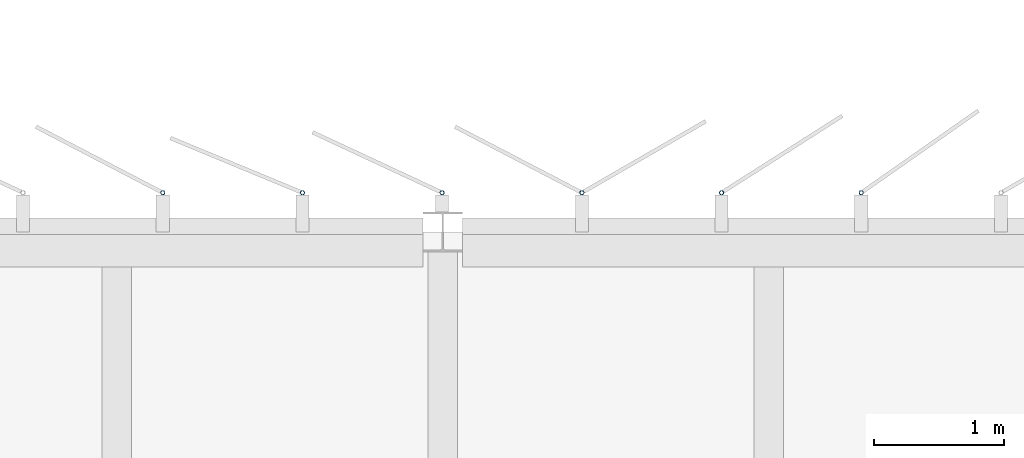
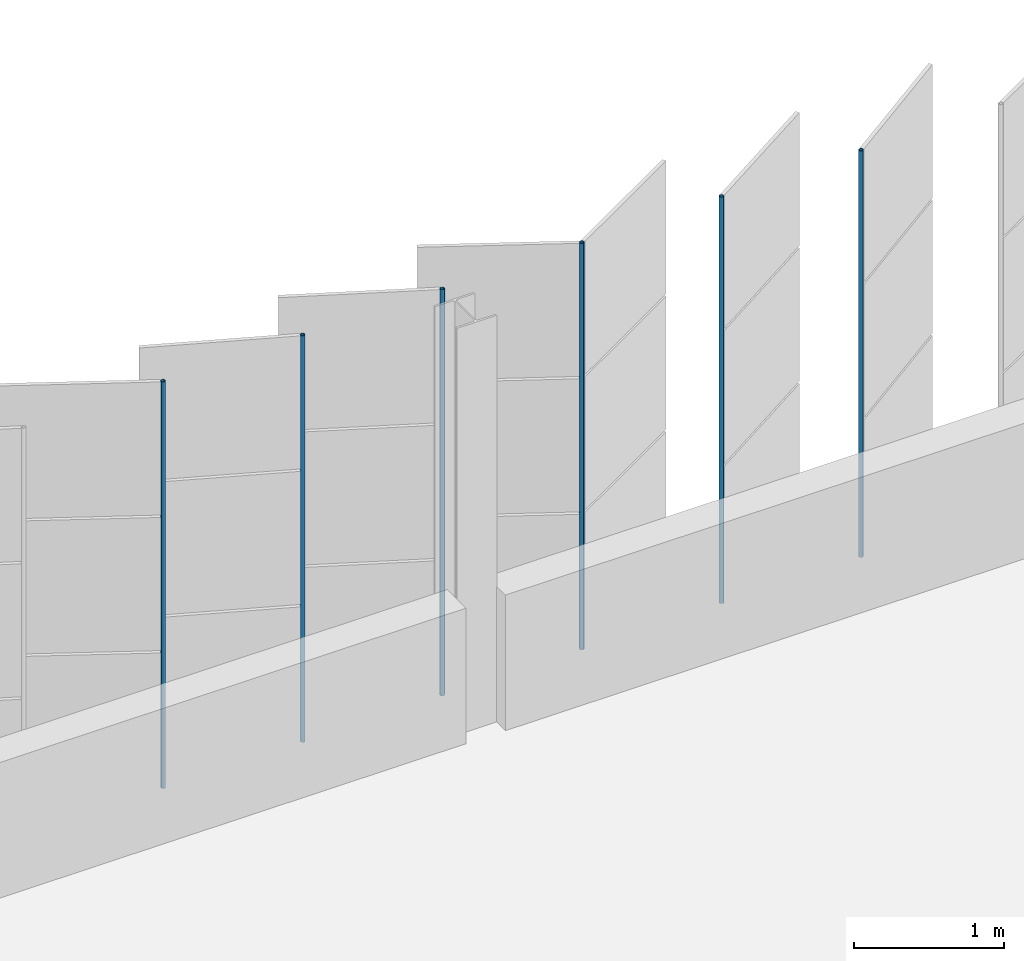
# One storey, part 148 of 199: 6 discrete accessories.
"""IFC4 building model written with IfcOpenShell, lengths in metres."""

from ifc_helpers import new_model, si_unit, direction, frame, origin, origin_2d, place, context, subcontext, project, spatial, hollow_circle, extrude, material, material_profile, profile_set, type_object, element, save


model = new_model("IFC4")

# Units and contexts
model_context = context("Model", 3, precision=1e-05, world=origin(), true_north=direction((0.0, 1.0)))
body_context = subcontext(model_context, "Body", "Model", "MODEL_VIEW")
ifc_project = project(units=[si_unit("LENGTHUNIT", "METRE"), si_unit("AREAUNIT", "SQUARE_METRE"), si_unit("VOLUMEUNIT", "CUBIC_METRE"), si_unit("PLANEANGLEUNIT", "RADIAN"), si_unit("MASSUNIT", "GRAM", prefix="KILO")], contexts=[model_context])

# Site, building, storey
site_placement = place(None, origin())
site = spatial("IfcSite", under=ifc_project, at=site_placement, CompositionType="ELEMENT")
building_placement = place(site_placement, origin())
building = spatial("IfcBuilding", under=site, at=building_placement, Name="Parallax Yard Mobility Hub", CompositionType="ELEMENT")
storey_placement = place(building_placement, frame((0.0, 0.0, 9.89990234375)))
storey = spatial("IfcBuildingStorey", under=building, at=storey_placement, Name="L03", CompositionType="ELEMENT", Elevation=9.89990234375)

# Discrete accessories
ifc_material = material(Name="Steel ASTM A500 Gr C, hot-dip galvanised", Category="steel")
ifc_material_profile = material_profile(ifc_material, hollow_circle(Radius=0.016845703125, WallThickness=0.003173828125, at=origin_2d()), Name="CHS 33.7x3.2")
ifc_profile_set = profile_set([ifc_material_profile], Name="Steel ASTM A500 Gr C, hot-dip galvanised")
discrete_accessory_type = type_object("IfcDiscreteAccessoryType", Name="Hinge post CHS 33.7x3.2", PredefinedType="BRACKET", material=ifc_profile_set)
for number, where, z_axis, x_axis, name in (
    (1, (123.210205078125, 142.800048828125, 0.0), (0.0, 0.0, 1.0), (1.0, 0.0, 0.0), "Hinge post bay 57.5 level L03"),
    (2, (122.138916015625, 142.800048828125, 0.0), (0.0, 0.0, 1.0), (1.0, 0.0, 0.0), "Hinge post bay 57.6 level L03"),
    (3, (121.067138671875, 142.800048828125, 0.0), (0.0, 0.0, 1.0), (1.0, 0.0, 0.0), "Hinge post bay 57.7 level L03"),
    (4, (119.99560546875, 142.800048828125, 0.0), (0.0, 0.0, 1.0), (1.0, 0.0, 0.0), "Hinge post bay 58.1 level L03"),
    (5, (118.924072265625, 142.800048828125, 0.0), (0.0, 0.0, 1.0), (1.0, 0.0, 0.0), "Hinge post bay 58.2 level L03"),
    (6, (117.8525390625, 142.800048828125, 0.0), (0.0, 0.0, 1.0), (1.0, 0.0, 0.0), "Hinge post bay 58.3 level L03"),
):
    element("IfcDiscreteAccessory", number, at=place(storey_placement, frame(where, z_axis=z_axis, x_axis=x_axis)), inside=storey, type_object=discrete_accessory_type, Name=name, PredefinedType="BRACKET", context=body_context, shape_type="SweptSolid", body=[
        extrude(hollow_circle(Radius=0.016845703125, WallThickness=0.003173828125, at=origin_2d()), origin(), (0.0, 0.0, 1.0), 3.300048828125),
    ])

save(model, "model.ifc")
